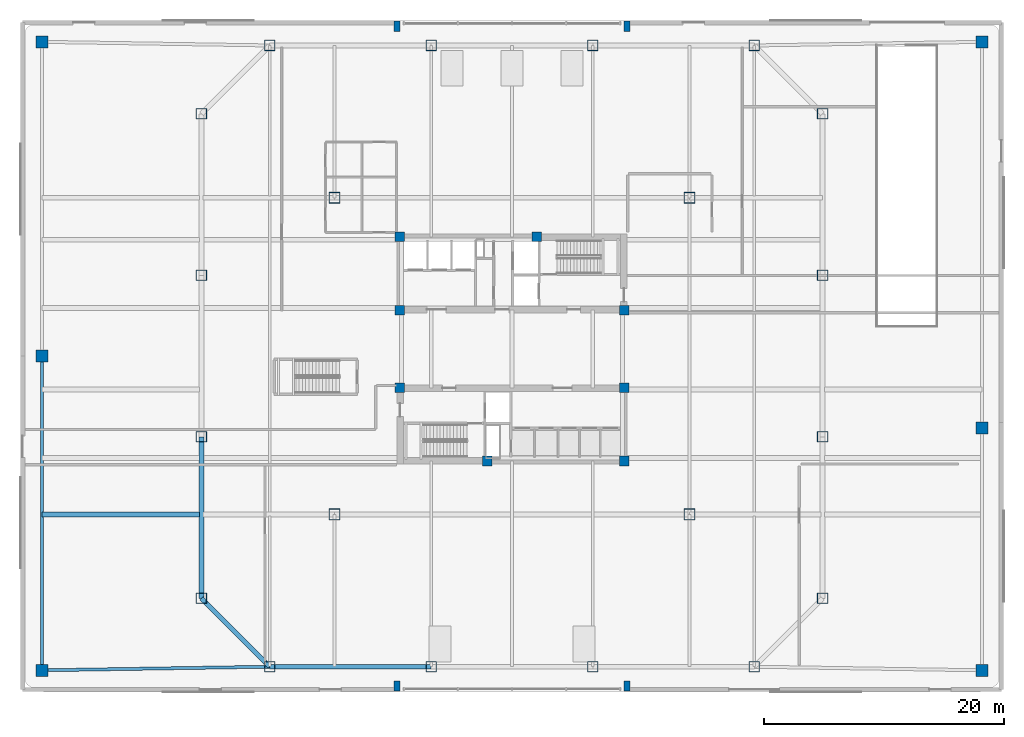
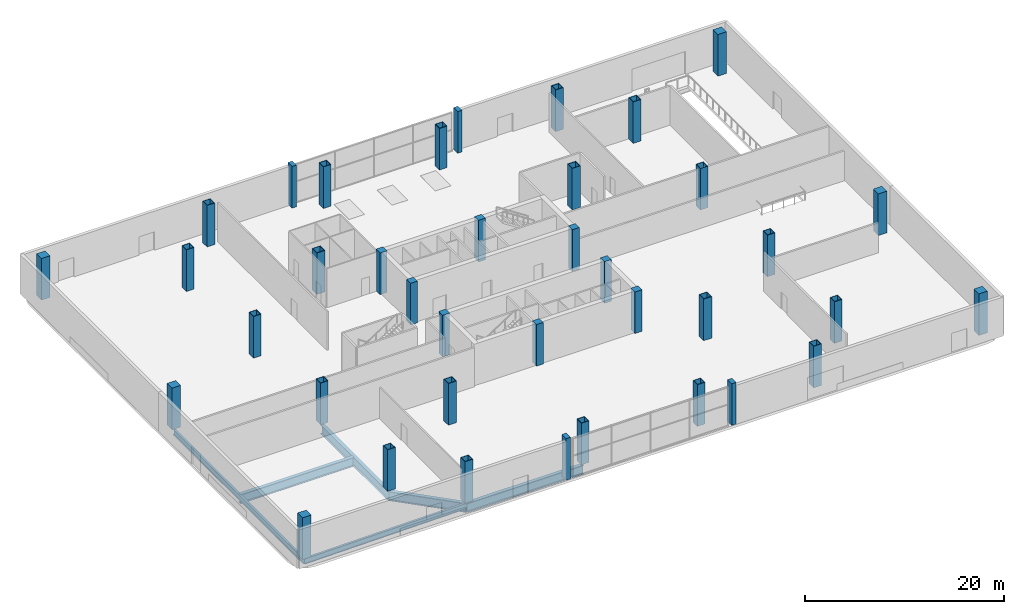
# One storey, part 1 of 21: 38 columns, 6 beams.
"""IFC4 building model written with IfcOpenShell, lengths in metres."""

import ifcopenshell
import ifcopenshell.guid

model = None  # the IFC model being written
_history = None  # IfcOwnerHistory: only IFC2X3 demands one
_inside = {}  # id of a spatial element -> (the spatial element, [elements in it])
_under = {}  # id of a project, library or spatial element -> (it, [spatial elements below it])
_declared = {}  # id of a project -> (the project, [libraries it declares])
_typed = {}  # id of a type object -> (the type object, [elements of that type])
_made_of = {}  # id of a material, layer set ... -> (it, [elements and type objects made of it])


def new_model(schema):
    """Start an empty IFC model of exactly this schema.

    Asked for "IFC4X3", IfcOpenShell would pick the latest addendum, in which some entities
    have other attributes; the version numbers below select the first issue.
    IFC2X3 requires an IfcOwnerHistory on every rooted entity: one is made here for all.
    """
    global model, _history
    if schema == "IFC4X3":
        model = ifcopenshell.file(schema_version=(4, 3, 0, 0))
    else:
        model = ifcopenshell.file(schema=schema)
    _inside.clear()
    _under.clear()
    _declared.clear()
    _typed.clear()
    _made_of.clear()
    _history = None
    if model.schema == "IFC2X3":
        org = make("IfcOrganization", Name="unknown")
        user = make(
            "IfcPersonAndOrganization",
            ThePerson=make("IfcPerson", FamilyName="unknown"),
            TheOrganization=org,
        )
        app = make(
            "IfcApplication",
            ApplicationDeveloper=org,
            Version="unknown",
            ApplicationFullName="unknown",
            ApplicationIdentifier="unknown",
        )
        _history = make(
            "IfcOwnerHistory",
            OwningUser=user,
            OwningApplication=app,
            ChangeAction="ADDED",
            CreationDate=0,
        )
    return model


def make(cls, **values):
    """One entity of the class cls with the attributes given. An attribute that is None is left unset."""
    return model.create_entity(
        cls, **{name: value for name, value in values.items() if value is not None}
    )


def rooted(cls, **values):
    """An entity with a GlobalId (a new one), such as an element, a storey or a relation."""
    return make(cls, GlobalId=ifcopenshell.guid.new(), OwnerHistory=_history, **values)


def si_unit(unit_type, name, prefix=None):
    """IfcSIUnit, for example si_unit("LENGTHUNIT", "METRE", prefix="MILLI")."""
    return make("IfcSIUnit", UnitType=unit_type, Prefix=prefix, Name=name)


def assignment(units):
    """IfcUnitAssignment: the units of a project."""
    return None if units is None else make("IfcUnitAssignment", Units=units)


def point(xyz):
    """IfcCartesianPoint."""
    return None if xyz is None else make("IfcCartesianPoint", Coordinates=xyz)


def direction(xyz):
    """IfcDirection."""
    return None if xyz is None else make("IfcDirection", DirectionRatios=xyz)


def frame(location, z_axis=None, x_axis=None):
    """IfcAxis2Placement3D, a coordinate frame: its origin and axes. An axis left out is left unset."""
    return make(
        "IfcAxis2Placement3D",
        Location=point(location),
        Axis=direction(z_axis),
        RefDirection=direction(x_axis),
    )


def frame_2d(location, x_axis=None):
    """IfcAxis2Placement2D, a coordinate frame in the plane: its origin and x axis."""
    return make(
        "IfcAxis2Placement2D", Location=point(location), RefDirection=direction(x_axis)
    )


def origin():
    """The frame at (0, 0, 0) with its axes left unset."""
    return frame((0.0, 0.0, 0.0))


def origin_2d():
    """The frame at (0, 0) in the plane with its x axis left unset."""
    return frame_2d((0.0, 0.0))


def place(relative_to, where):
    """IfcLocalPlacement: puts the frame where relative to a parent placement (None: the world)."""
    return make(
        "IfcLocalPlacement", PlacementRelTo=relative_to, RelativePlacement=where
    )


def context(
    kind, dimensions, precision=None, world=None, true_north=None, identifier=None
):
    """IfcGeometricRepresentationContext, for example the 3D "Model" context."""
    return make(
        "IfcGeometricRepresentationContext",
        ContextIdentifier=identifier,
        ContextType=kind,
        CoordinateSpaceDimension=dimensions,
        Precision=precision,
        WorldCoordinateSystem=world,
        TrueNorth=true_north,
    )


def subcontext(parent, identifier, kind, view, scale=None):
    """IfcGeometricRepresentationSubContext, for example "Body" below "Model"."""
    return make(
        "IfcGeometricRepresentationSubContext",
        ContextIdentifier=identifier,
        ContextType=kind,
        ParentContext=parent,
        TargetScale=scale,
        TargetView=view,
    )


def project(units=None, contexts=None):
    """IfcProject with its units and contexts."""
    return rooted(
        "IfcProject",
        Name="project",
        RepresentationContexts=contexts,
        UnitsInContext=assignment(units),
    )


def spatial(cls, under=None, at=None, **own):
    """A site, building, storey or space (cls), placed at a placement, below another one or the project."""
    s = rooted(cls, ObjectPlacement=at, **own)
    if under is not None:
        _under.setdefault(under.id(), (under, []))[1].append(s)
    return s


def profile(cls, at=None, kind="AREA", **sizes):
    """A parametric profile (cls). Its sizes go by their IFC names, for example OverallWidth=200.0."""
    return make(cls, ProfileType=kind, Position=at, **sizes)


def rectangle(**sizes):
    """IfcRectangleProfileDef."""
    return profile("IfcRectangleProfileDef", **sizes)


def hollow_rectangle(**sizes):
    """IfcRectangleHollowProfileDef."""
    return profile("IfcRectangleHollowProfileDef", **sizes)


def i_section(**sizes):
    """IfcIShapeProfileDef."""
    return profile("IfcIShapeProfileDef", **sizes)


def extrude(swept, where, along, depth):
    """IfcExtrudedAreaSolid: the profile swept, set in the frame where, extruded along a direction by depth."""
    return make(
        "IfcExtrudedAreaSolid",
        SweptArea=swept,
        Position=where,
        ExtrudedDirection=direction(along),
        Depth=depth,
    )


def shape(context_of_items, identifier, shape_type, items):
    """IfcShapeRepresentation: the items that make up one representation, for example the "Body"."""
    return make(
        "IfcShapeRepresentation",
        ContextOfItems=context_of_items,
        RepresentationIdentifier=identifier,
        RepresentationType=shape_type,
        Items=items,
    )


def material(Name=None, Category=None):
    """IfcMaterial."""
    return make("IfcMaterial", Name=Name, Category=Category)


def material_profile(
    of_material, cross_section, Name=None, Category=None, Priority=None
):
    """IfcMaterialProfile: a cross section and its material."""
    return make(
        "IfcMaterialProfile",
        Name=Name,
        Material=of_material,
        Profile=cross_section,
        Priority=Priority,
        Category=Category,
    )


def profile_set(profiles, Name=None, composite=None):
    """IfcMaterialProfileSet."""
    return make(
        "IfcMaterialProfileSet",
        Name=Name,
        MaterialProfiles=profiles,
        CompositeProfile=composite,
    )


def made_of(thing, what):
    """Note that an element or type object is made of a material, layer set ...; save() writes the relation."""
    if what is not None:
        _made_of.setdefault(what.id(), (what, []))[1].append(thing)
    return thing


def type_object(cls, material=None, **own):
    """A type object (cls), such as IfcWallType, which elements share."""
    return made_of(rooted(cls, **own), material)


def element(
    cls,
    number,
    at=None,
    inside=None,
    cuts=None,
    type_object=None,
    material=None,
    context=None,
    identifier="Body",
    shape_type=None,
    held_by="IfcProductDefinitionShape",
    body=None,
    shapes=None,
    **own,
):
    """One element of the class cls, such as IfcWall. Its Tag is "e" and its number.

    at: its placement. inside: the storey or other place that contains it. cuts: it is an
    opening in that element (IfcRelVoidsElement). A single representation is given by context,
    identifier, shape_type and body (its items); several are given by shapes. held_by: the class
    of the entity that holds the representations. save() writes the other relations.
    """
    e = rooted(cls, Tag="e%d" % number, ObjectPlacement=at, **own)
    if body is not None:
        shapes = [shape(context, identifier, shape_type, body)]
    if shapes is not None:
        e.Representation = make(held_by, Representations=shapes)
    if inside is not None:
        _inside.setdefault(inside.id(), (inside, []))[1].append(e)
    if cuts is not None:
        rooted(
            "IfcRelVoidsElement", RelatingBuildingElement=cuts, RelatedOpeningElement=e
        )
    if type_object is not None:
        _typed.setdefault(type_object.id(), (type_object, []))[1].append(e)
    return made_of(e, material)


def aggregate(whole, parts):
    """IfcRelAggregates: a whole, such as a stair, and the parts it consists of."""
    return rooted("IfcRelAggregates", RelatingObject=whole, RelatedObjects=parts)


def save(model, path):
    """Write the relations noted so far, then the file.

    IfcRelAggregates (storeys below a building ...), IfcRelContainedInSpatialStructure (elements
    in a storey), IfcRelDefinesByType, IfcRelAssociatesMaterial and IfcRelDeclares: one each for
    every whole, place, type object, material and project.
    """
    for whole, parts in _under.values():
        aggregate(whole, parts)
    for where, things in _inside.values():
        rooted(
            "IfcRelContainedInSpatialStructure",
            RelatedElements=things,
            RelatingStructure=where,
        )
    for kind, things in _typed.values():
        rooted("IfcRelDefinesByType", RelatedObjects=things, RelatingType=kind)
    for what, things in _made_of.values():
        rooted("IfcRelAssociatesMaterial", RelatedObjects=things, RelatingMaterial=what)
    for by, libraries in _declared.values():
        rooted("IfcRelDeclares", RelatingContext=by, RelatedDefinitions=libraries)
    model.write(path)


model = new_model("IFC4")

# Units and contexts
model_context = context("Model", 3, precision=1e-05, world=origin(), true_north=direction((0.0, 1.0)))
body_context = subcontext(model_context, "Body", "Model", "MODEL_VIEW")
ifc_project = project(units=[si_unit("LENGTHUNIT", "METRE"), si_unit("AREAUNIT", "SQUARE_METRE"), si_unit("VOLUMEUNIT", "CUBIC_METRE"), si_unit("PLANEANGLEUNIT", "RADIAN"), si_unit("MASSUNIT", "GRAM", prefix="KILO")], contexts=[model_context])

# Site, building, storey
site_placement = place(None, origin())
site = spatial("IfcSite", under=ifc_project, at=site_placement, CompositionType="ELEMENT")
building_placement = place(site_placement, origin())
building = spatial("IfcBuilding", under=site, at=building_placement, Name="Qhalaya Broadcast Tower", CompositionType="ELEMENT")
storey_placement = place(building_placement, origin())
storey = spatial("IfcBuildingStorey", under=building, at=storey_placement, Name="L00", CompositionType="ELEMENT", Elevation=0.0)

# Columns
ifc_material_1 = material(Name="Concrete C60/75", Category="concrete")
ifc_material_profile_1 = material_profile(ifc_material_1, rectangle(XDim=0.5, YDim=0.85009765625, at=origin_2d()), Name="RC-PIL 500x850")
ifc_profile_set_1 = profile_set([ifc_material_profile_1], Name="Concrete C60/75")
column_type_1 = type_object("IfcColumnType", Name="Concourse Portal Pilaster CP1", PredefinedType="PILASTER", material=ifc_profile_set_1)
for number, where, z_axis, x_axis, name in (
    (1, (-9.60009765625, -27.5, 0.0), (0.0, 0.0, 1.0), (1.0, 0.0, 0.0), "L00 Column PIL-PL1"),
    (2, (9.60009765625, -27.5, 0.0), (0.0, 0.0, 1.0), (1.0, 0.0, 0.0), "L00 Column PIL-PL2"),
    (3, (-9.60009765625, 27.5, 0.0), (0.0, 0.0, 1.0), (1.0, 0.0, 0.0), "L00 Column PIL-PL3"),
    (4, (9.60009765625, 27.5, 0.0), (0.0, 0.0, 1.0), (1.0, 0.0, 0.0), "L00 Column PIL-PL4"),
):
    element("IfcColumn", number, at=place(storey_placement, frame(where, z_axis=z_axis, x_axis=x_axis)), inside=storey, type_object=column_type_1, Name=name, PredefinedType="PILASTER", context=body_context, shape_type="SweptSolid", body=[
        extrude(rectangle(XDim=0.5, YDim=0.85009765625, at=origin_2d()), origin(), (0.0, 0.0, 1.0), 5.10009765625),
    ])
ifc_material_profile_2 = material_profile(ifc_material_1, rectangle(XDim=1.0, YDim=1.0, at=origin_2d()), Name="RC-COL 1000x1000")
ifc_profile_set_2 = profile_set([ifc_material_profile_2], Name="Concrete C60/75")
column_type_2 = type_object("IfcColumnType", Name="RC Podium Column C09", PredefinedType="COLUMN", material=ifc_profile_set_2)
for number, where, z_axis, x_axis, name in (
    (5, (-39.199951171875, 0.0, 0.0), (0.0, 0.0, 1.0), (1.0, 0.0, 0.0), "L00 Column COL-E1"),
    (6, (39.199951171875, -6.0, 0.0), (0.0, 0.0, 1.0), (1.0, 0.0, 0.0), "L00 Column COL-E2"),
    (7, (-39.199951171875, -26.199951171875, 0.0), (0.0, 0.0, 1.0), (1.0, 0.0, 0.0), "L00 Column COL-E3"),
    (8, (39.199951171875, -26.199951171875, 0.0), (0.0, 0.0, 1.0), (1.0, 0.0, 0.0), "L00 Column COL-E4"),
    (9, (-39.199951171875, 26.199951171875, 0.0), (0.0, 0.0, 1.0), (1.0, 0.0, 0.0), "L00 Column COL-E5"),
    (10, (39.199951171875, 26.199951171875, 0.0), (0.0, 0.0, 1.0), (1.0, 0.0, 0.0), "L00 Column COL-E6"),
):
    element("IfcColumn", number, at=place(storey_placement, frame(where, z_axis=z_axis, x_axis=x_axis)), inside=storey, type_object=column_type_2, Name=name, PredefinedType="COLUMN", context=body_context, shape_type="SweptSolid", body=[
        extrude(rectangle(XDim=1.0, YDim=1.0, at=origin_2d()), origin(), (0.0, 0.0, 1.0), 5.10009765625),
    ])
ifc_material_2 = material(Name="Concrete C50/60", Category="concrete")
ifc_material_profile_3 = material_profile(ifc_material_2, rectangle(XDim=0.800048828125, YDim=0.800048828125, at=origin_2d()), Name="RC-COL 800x800")
ifc_profile_set_3 = profile_set([ifc_material_profile_3], Name="Concrete C50/60")
column_type_3 = type_object("IfcColumnType", Name="RC Upper Column C10", PredefinedType="COLUMN", material=ifc_profile_set_3)
for number, where, z_axis, x_axis, name in (
    (11, (-9.375, 9.949951171875, 0.0), (0.0, 0.0, 1.0), (1.0, 0.0, 0.0), "L00 Column COL-CC1"),
    (12, (2.050048828125, 9.949951171875, 0.0), (0.0, 0.0, 1.0), (1.0, 0.0, 0.0), "L00 Column COL-CC2"),
    (13, (-9.375, 3.824951171875, 0.0), (0.0, 0.0, 1.0), (1.0, 0.0, 0.0), "L00 Column COL-CC3"),
    (14, (9.375, 3.824951171875, 0.0), (0.0, 0.0, 1.0), (1.0, 0.0, 0.0), "L00 Column COL-CC4"),
    (15, (-9.375, -2.625, 0.0), (0.0, 0.0, 1.0), (1.0, 0.0, 0.0), "L00 Column COL-CC5"),
    (16, (9.375, -2.625, 0.0), (0.0, 0.0, 1.0), (1.0, 0.0, 0.0), "L00 Column COL-CC6"),
    (17, (-2.050048828125, -8.75, 0.0), (0.0, 0.0, 1.0), (1.0, 0.0, 0.0), "L00 Column COL-CC7"),
    (18, (9.375, -8.75, 0.0), (0.0, 0.0, 1.0), (1.0, 0.0, 0.0), "L00 Column COL-CC8"),
):
    element("IfcColumn", number, at=place(storey_placement, frame(where, z_axis=z_axis, x_axis=x_axis)), inside=storey, type_object=column_type_3, Name=name, PredefinedType="COLUMN", context=body_context, shape_type="SweptSolid", body=[
        extrude(rectangle(XDim=0.800048828125, YDim=0.800048828125, at=origin_2d()), origin(), (0.0, 0.0, 1.0), 5.10009765625),
    ])
ifc_material_3 = material(Name="Structural Steel ASTM A572 Grade 50", Category="steel")
ifc_material_profile_4 = material_profile(ifc_material_3, hollow_rectangle(XDim=0.949951171875, YDim=0.949951171875, WallThickness=0.06005859375, at=origin_2d()), Name="BOX 950x950x60")
ifc_profile_set_4 = profile_set([ifc_material_profile_4], Name="Structural Steel ASTM A572 Grade 50")
column_type_4 = type_object("IfcColumnType", Name="Steel Box Column C01", PredefinedType="COLUMN", material=ifc_profile_set_4)
for number, where, z_axis, x_axis, name in (
    (19, (-14.800048828125, -13.199951171875, 0.0), (0.0, 0.0, 1.0), (1.0, 0.0, 0.0), "L00 Column COL-GR1"),
    (20, (14.800048828125, -13.199951171875, 0.0), (0.0, 0.0, 1.0), (1.0, 0.0, 0.0), "L00 Column COL-GR2"),
    (21, (-14.800048828125, 13.199951171875, 0.0), (0.0, 0.0, 1.0), (1.0, 0.0, 0.0), "L00 Column COL-GR3"),
    (22, (14.800048828125, 13.199951171875, 0.0), (0.0, 0.0, 1.0), (1.0, 0.0, 0.0), "L00 Column COL-GR4"),
):
    element("IfcColumn", number, at=place(storey_placement, frame(where, z_axis=z_axis, x_axis=x_axis)), inside=storey, type_object=column_type_4, Name=name, PredefinedType="COLUMN", context=body_context, shape_type="SweptSolid", body=[
        extrude(hollow_rectangle(XDim=0.949951171875, YDim=0.949951171875, WallThickness=0.06005859375, at=origin_2d()), origin(), (0.0, 0.0, 1.0), 5.10009765625),
    ])
ifc_material_profile_5 = material_profile(ifc_material_3, hollow_rectangle(XDim=0.89990234375, YDim=0.89990234375, WallThickness=0.054931640625, at=origin_2d()), Name="BOX 900x900x55")
ifc_profile_set_5 = profile_set([ifc_material_profile_5], Name="Structural Steel ASTM A572 Grade 50")
column_type_5 = type_object("IfcColumnType", Name="Steel Box Column C02", PredefinedType="COLUMN", material=ifc_profile_set_5)
for number, where, z_axis, x_axis, name in (
    (23, (-20.199951171875, -25.89990234375, 0.0), (0.0, 0.0, 1.0), (1.0, 0.0, 0.0), "L00 Column COL-B1P01"),
    (24, (-6.7333984375, -25.89990234375, 0.0), (0.0, 0.0, 1.0), (1.0, 0.0, 0.0), "L00 Column COL-B1P02"),
    (25, (6.7333984375, -25.89990234375, 0.0), (0.0, 0.0, 1.0), (1.0, 0.0, 0.0), "L00 Column COL-B1P03"),
    (26, (20.199951171875, -25.89990234375, 0.0), (0.0, 0.0, 1.0), (1.0, 0.0, 0.0), "L00 Column COL-B1P04"),
    (27, (25.89990234375, -20.199951171875, 0.0), (0.0, 0.0, 1.0), (0.0, 1.0, 0.0), "L00 Column COL-B1P05"),
    (28, (25.89990234375, -6.7333984375, 0.0), (0.0, 0.0, 1.0), (0.0, 1.0, 0.0), "L00 Column COL-B1P06"),
    (29, (25.89990234375, 6.7333984375, 0.0), (0.0, 0.0, 1.0), (0.0, 1.0, 0.0), "L00 Column COL-B1P07"),
    (30, (25.89990234375, 20.199951171875, 0.0), (0.0, 0.0, 1.0), (0.0, 1.0, 0.0), "L00 Column COL-B1P08"),
    (31, (20.199951171875, 25.89990234375, 0.0), (0.0, 0.0, 1.0), (1.0, 0.0, 0.0), "L00 Column COL-B1P09"),
    (32, (6.7333984375, 25.89990234375, 0.0), (0.0, 0.0, 1.0), (1.0, 0.0, 0.0), "L00 Column COL-B1P10"),
    (33, (-6.7333984375, 25.89990234375, 0.0), (0.0, 0.0, 1.0), (1.0, 0.0, 0.0), "L00 Column COL-B1P11"),
    (34, (-20.199951171875, 25.89990234375, 0.0), (0.0, 0.0, 1.0), (1.0, 0.0, 0.0), "L00 Column COL-B1P12"),
    (35, (-25.89990234375, 20.199951171875, 0.0), (0.0, 0.0, 1.0), (0.0, 1.0, 0.0), "L00 Column COL-B1P13"),
    (36, (-25.89990234375, 6.7333984375, 0.0), (0.0, 0.0, 1.0), (0.0, 1.0, 0.0), "L00 Column COL-B1P14"),
    (37, (-25.89990234375, -6.7333984375, 0.0), (0.0, 0.0, 1.0), (0.0, 1.0, 0.0), "L00 Column COL-B1P15"),
    (38, (-25.89990234375, -20.199951171875, 0.0), (0.0, 0.0, 1.0), (0.0, 1.0, 0.0), "L00 Column COL-B1P16"),
):
    element("IfcColumn", number, at=place(storey_placement, frame(where, z_axis=z_axis, x_axis=x_axis)), inside=storey, type_object=column_type_5, Name=name, PredefinedType="COLUMN", context=body_context, shape_type="SweptSolid", body=[
        extrude(hollow_rectangle(XDim=0.89990234375, YDim=0.89990234375, WallThickness=0.054931640625, at=origin_2d()), origin(), (0.0, 0.0, 1.0), 5.10009765625),
    ])

# Beams
ifc_material_4 = material(Name="Structural Steel ASTM A992 Grade 50", Category="steel")
ifc_material_profile_6 = material_profile(ifc_material_4, i_section(OverallWidth=0.25390625, OverallDepth=0.68310546875, WebThickness=0.012451171875, FlangeThickness=0.01904296875, at=origin_2d()), Name="W27X94")
ifc_profile_set_6 = profile_set([ifc_material_profile_6], Name="Structural Steel ASTM A992 Grade 50")
beam_type_1 = type_object("IfcBeamType", Name="Perimeter Ring Spandrel Beam SP1", PredefinedType="SPANDREL", material=ifc_profile_set_6)
beam_1_placement = place(storey_placement, frame((-39.199951171875, -26.199951171875, -0.66162109375), z_axis=(0.999875328998, 0.015790074776, 0.0), x_axis=(-0.015790074776, 0.999875328998, 0.0)))
element("IfcBeam", 39, at=beam_1_placement, inside=storey, type_object=beam_type_1, Name="L00 SP1 L00-SP-S1", PredefinedType="SPANDREL", context=body_context, shape_type="SweptSolid", body=[
    extrude(i_section(OverallWidth=0.25390625, OverallDepth=0.68310546875, WebThickness=0.012451171875, FlangeThickness=0.01904296875, at=origin_2d()), origin(), (0.0, 0.0, 1.0), 19.00244140625),
])
beam_2_placement = place(storey_placement, frame((-39.199951171875, -26.199951171875, -0.66162109375), z_axis=(0.0, 1.0, 0.0), x_axis=(-1.0, 0.0, 0.0)))
element("IfcBeam", 40, at=beam_2_placement, inside=storey, type_object=beam_type_1, Name="L00 SP1 L00-SP-W1", PredefinedType="SPANDREL", context=body_context, shape_type="SweptSolid", body=[
    extrude(i_section(OverallWidth=0.25390625, OverallDepth=0.68310546875, WebThickness=0.012451171875, FlangeThickness=0.01904296875, at=origin_2d()), origin(), (0.0, 0.0, 1.0), 26.199951171875),
])
ifc_material_profile_7 = material_profile(ifc_material_4, i_section(OverallWidth=0.404052734375, OverallDepth=1.117919921875, WebThickness=0.026123046875, FlangeThickness=0.044921875, at=origin_2d()), Name="W44X335")
ifc_profile_set_7 = profile_set([ifc_material_profile_7], Name="Structural Steel ASTM A992 Grade 50")
beam_type_2 = type_object("IfcBeamType", Name="Podium Long-Span Primary Girder PG1", PredefinedType="USERDEFINED", material=ifc_profile_set_7)
for number, where, z_axis, x_axis, name in (
    (41, (-20.199951171875, -25.89990234375, -0.87890625), (1.0, 0.0, 0.0), (0.0, 1.0, 0.0), "L00 PG1 L00-PG-R01"),
    (42, (-25.89990234375, -6.7333984375, -0.87890625), (0.0, -1.0, 0.0), (1.0, 0.0, 0.0), "L00 PG1 L00-PG-R15"),
):
    element("IfcBeam", number, at=place(storey_placement, frame(where, z_axis=z_axis, x_axis=x_axis)), inside=storey, type_object=beam_type_2, Name=name, ObjectType="GIRDER", PredefinedType="USERDEFINED", context=body_context, shape_type="SweptSolid", body=[
        extrude(i_section(OverallWidth=0.404052734375, OverallDepth=1.117919921875, WebThickness=0.026123046875, FlangeThickness=0.044921875, at=origin_2d()), origin(), (0.0, 0.0, 1.0), 13.466552734375),
    ])
beam_3_placement = place(storey_placement, frame((-25.89990234375, -20.199951171875, -0.87890625), z_axis=(0.707106781187, -0.707106781187, 0.0), x_axis=(0.707106781187, 0.707106781187, 0.0)))
element("IfcBeam", 43, at=beam_3_placement, inside=storey, type_object=beam_type_2, Name="L00 PG1 L00-PG-R16", ObjectType="GIRDER", PredefinedType="USERDEFINED", context=body_context, shape_type="SweptSolid", body=[
    extrude(i_section(OverallWidth=0.404052734375, OverallDepth=1.117919921875, WebThickness=0.026123046875, FlangeThickness=0.044921875, at=origin_2d()), origin(), (0.0, 0.0, 1.0), 8.06103515625),
])
beam_4_placement = place(storey_placement, frame((-39.199951171875, -13.199951171875, -0.87890625), z_axis=(1.0, 0.0, 0.0), x_axis=(0.0, 1.0, 0.0)))
element("IfcBeam", 44, at=beam_4_placement, inside=storey, type_object=beam_type_2, Name="L00 PG1 L00-PG-GS1", ObjectType="GIRDER", PredefinedType="USERDEFINED", context=body_context, shape_type="SweptSolid", body=[
    extrude(i_section(OverallWidth=0.404052734375, OverallDepth=1.117919921875, WebThickness=0.026123046875, FlangeThickness=0.044921875, at=origin_2d()), origin(), (0.0, 0.0, 1.0), 13.159912109375),
])

save(model, "model.ifc")
